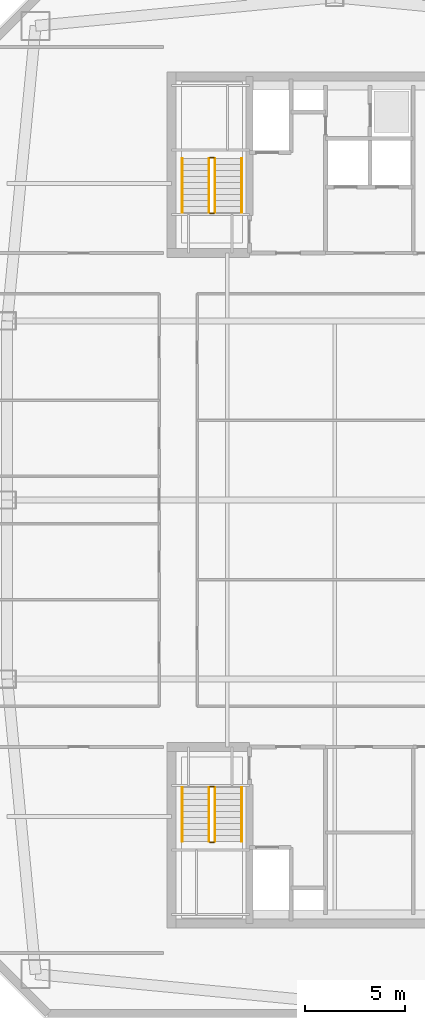
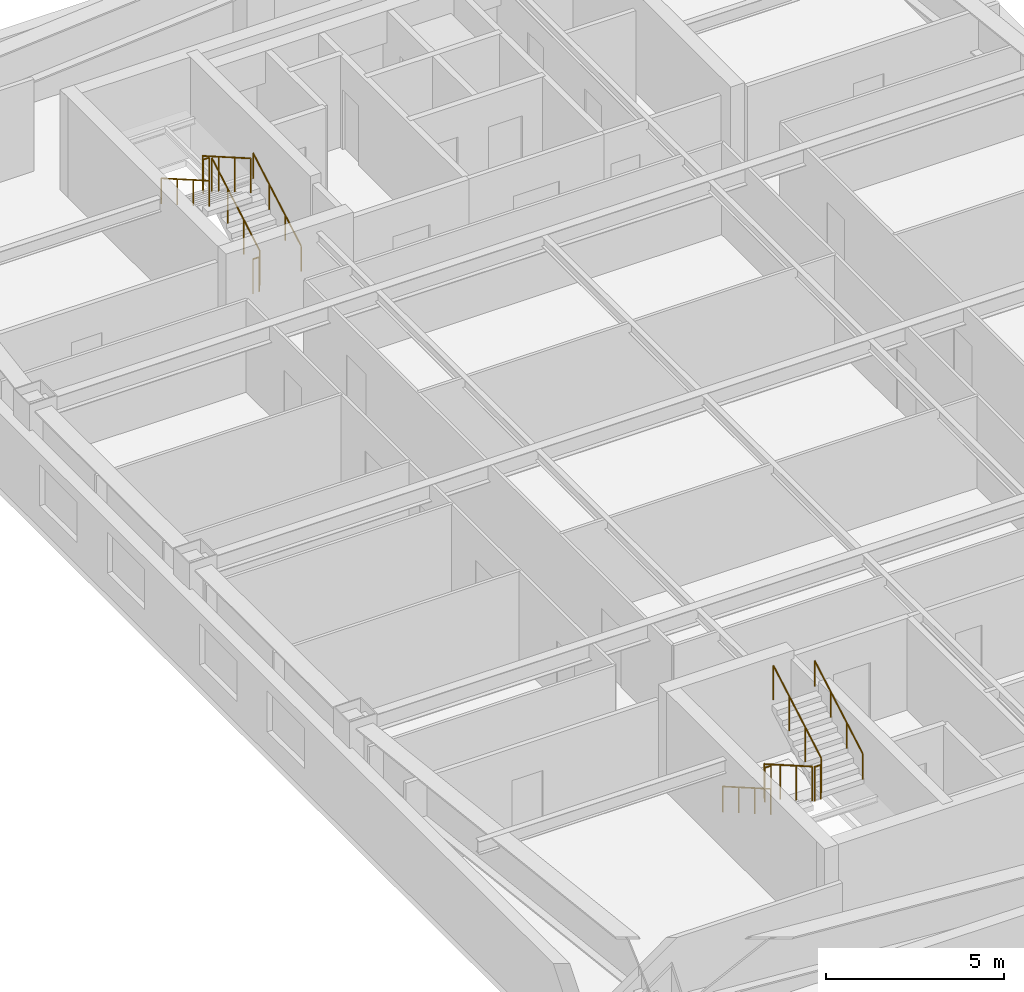
# One storey, part 13 of 15: 12 railings.
"""IFC4 building model written with IfcOpenShell, lengths in metres."""

from ifc_helpers import new_model, si_unit, direction, frame, origin, origin_2d, place, context, subcontext, project, spatial, circle, extrude, material, type_object, element, save


model = new_model("IFC4")

# Units and contexts
model_context = context("Model", 3, precision=1e-05, world=origin(), true_north=direction((0.0, 1.0)))
body_context = subcontext(model_context, "Body", "Model", "MODEL_VIEW")
ifc_project = project(units=[si_unit("LENGTHUNIT", "METRE"), si_unit("AREAUNIT", "SQUARE_METRE"), si_unit("VOLUMEUNIT", "CUBIC_METRE"), si_unit("PLANEANGLEUNIT", "RADIAN"), si_unit("MASSUNIT", "GRAM", prefix="KILO")], contexts=[model_context])

# Site, building, storey
site_placement = place(None, origin())
site = spatial("IfcSite", under=ifc_project, at=site_placement, CompositionType="ELEMENT")
building_placement = place(site_placement, origin())
building = spatial("IfcBuilding", under=site, at=building_placement, Name="Qiaolan Cultural Towers", CompositionType="ELEMENT")
storey_placement = place(building_placement, frame((0.0, 0.0, 212.75)))
storey = spatial("IfcBuildingStorey", under=building, at=storey_placement, Name="L57", CompositionType="ELEMENT", Elevation=212.75)

# Railings
ifc_material_1 = material(Name="Galvanized Painted Steel Stair Guardrail", Category="steel")
railing_type_1 = type_object("IfcRailingType", Name="RL-STAIR-GRD", PredefinedType="GUARDRAIL", material=ifc_material_1)
railing_1_placement = place(storey_placement, frame((23.68994140625, 19.550048828125, 0.172607421875)))
element("IfcRailing", 1, at=railing_1_placement, inside=storey, type_object=railing_type_1, Name="L57 ST-W1 stair guard 1", PredefinedType="GUARDRAIL", context=body_context, shape_type="SweptSolid", body=[
    extrude(circle(Radius=0.02392578125, at=origin_2d()), frame((0.0, 0.0, 1.17578125), z_axis=(0.0, -0.866903762492, 0.498475542607), x_axis=(1.0, 0.0, 0.0)), (0.0, 0.0, 1.0), 3.114501953125),
    extrude(circle(Radius=0.02099609375, at=origin_2d()), origin(), (0.0, 0.0, 1.0), 1.15185546875),
    extrude(circle(Radius=0.02099609375, at=origin_2d()), frame((0.0, -0.89990234375, 0.517578125)), (0.0, 0.0, 1.0), 1.15185546875),
    extrude(circle(Radius=0.02099609375, at=origin_2d()), frame((0.0, -1.800048828125, 1.034912109375)), (0.0, 0.0, 1.0), 1.15185546875),
    extrude(circle(Radius=0.02099609375, at=origin_2d()), frame((0.0, -2.699951171875, 1.552490234375)), (0.0, 0.0, 1.0), 1.15185546875),
])
railing_2_placement = place(storey_placement, frame((23.739990234375, 16.800048828125, 1.72509765625)))
element("IfcRailing", 2, at=railing_2_placement, inside=storey, type_object=railing_type_1, Name="L57 ST-W1 stair guard 2", PredefinedType="GUARDRAIL", context=body_context, shape_type="SweptSolid", body=[
    extrude(circle(Radius=0.02392578125, at=origin_2d()), frame((0.0, 0.0, 1.17578125), z_axis=(1.0, 0.0, 0.0), x_axis=(0.0, 1.0, 0.0)), (0.0, 0.0, 1.0), 0.199951171875),
    extrude(circle(Radius=0.02099609375, at=origin_2d()), origin(), (0.0, 0.0, 1.0), 1.15185546875),
    extrude(circle(Radius=0.02099609375, at=origin_2d()), frame((0.199951171875, 0.0, 0.0)), (0.0, 0.0, 1.0), 1.15185546875),
])
railing_3_placement = place(storey_placement, frame((23.989990234375, 16.85009765625, 1.8974609375)))
element("IfcRailing", 3, at=railing_3_placement, inside=storey, type_object=railing_type_1, Name="L57 ST-W1 stair guard 3", PredefinedType="GUARDRAIL", context=body_context, shape_type="SweptSolid", body=[
    extrude(circle(Radius=0.02392578125, at=origin_2d()), frame((0.0, 0.0, 1.17578125), z_axis=(0.0, 0.866903762492, 0.498475542607), x_axis=(-1.0, 0.0, 0.0)), (0.0, 0.0, 1.0), 3.114501953125),
    extrude(circle(Radius=0.02099609375, at=origin_2d()), origin(), (0.0, 0.0, 1.0), 1.15185546875),
    extrude(circle(Radius=0.02099609375, at=origin_2d()), frame((0.0, 0.89990234375, 0.517578125)), (0.0, 0.0, 1.0), 1.15185546875),
    extrude(circle(Radius=0.02099609375, at=origin_2d()), frame((0.0, 1.800048828125, 1.034912109375)), (0.0, 0.0, 1.0), 1.15185546875),
    extrude(circle(Radius=0.02099609375, at=origin_2d()), frame((0.0, 2.699951171875, 1.552490234375)), (0.0, 0.0, 1.0), 1.15185546875),
])
railing_4_placement = place(storey_placement, frame((23.739990234375, 19.60009765625, 0.0)))
element("IfcRailing", 4, at=railing_4_placement, inside=storey, type_object=railing_type_1, Name="L57 ST-W1 stair guard 4", PredefinedType="GUARDRAIL", context=body_context, shape_type="SweptSolid", body=[
    extrude(circle(Radius=0.02392578125, at=origin_2d()), frame((0.0, 0.0, 1.17578125), z_axis=(1.0, 0.0, 0.0), x_axis=(0.0, 1.0, 0.0)), (0.0, 0.0, 1.0), 0.199951171875),
    extrude(circle(Radius=0.02099609375, at=origin_2d()), origin(), (0.0, 0.0, 1.0), 1.15185546875),
    extrude(circle(Radius=0.02099609375, at=origin_2d()), frame((0.199951171875, 0.0, 0.0)), (0.0, 0.0, 1.0), 1.15185546875),
])
railing_5_placement = place(storey_placement, frame((23.989990234375, 48.449951171875, 0.172607421875)))
element("IfcRailing", 5, at=railing_5_placement, inside=storey, type_object=railing_type_1, Name="L57 ST-W2 stair guard 1", PredefinedType="GUARDRAIL", context=body_context, shape_type="SweptSolid", body=[
    extrude(circle(Radius=0.02392578125, at=origin_2d()), frame((0.0, 0.0, 1.17578125), z_axis=(0.0, 0.866903762492, 0.498475542607), x_axis=(-1.0, 0.0, 0.0)), (0.0, 0.0, 1.0), 3.114501953125),
    extrude(circle(Radius=0.02099609375, at=origin_2d()), origin(), (0.0, 0.0, 1.0), 1.15185546875),
    extrude(circle(Radius=0.02099609375, at=origin_2d()), frame((0.0, 0.89990234375, 0.517578125)), (0.0, 0.0, 1.0), 1.15185546875),
    extrude(circle(Radius=0.02099609375, at=origin_2d()), frame((0.0, 1.800048828125, 1.034912109375)), (0.0, 0.0, 1.0), 1.15185546875),
    extrude(circle(Radius=0.02099609375, at=origin_2d()), frame((0.0, 2.699951171875, 1.552490234375)), (0.0, 0.0, 1.0), 1.15185546875),
])
railing_6_placement = place(storey_placement, frame((23.93994140625, 51.199951171875, 1.72509765625)))
element("IfcRailing", 6, at=railing_6_placement, inside=storey, type_object=railing_type_1, Name="L57 ST-W2 stair guard 2", PredefinedType="GUARDRAIL", context=body_context, shape_type="SweptSolid", body=[
    extrude(circle(Radius=0.02392578125, at=origin_2d()), frame((0.0, 0.0, 1.17578125), z_axis=(-1.0, 0.0, 0.0), x_axis=(0.0, -1.0, 0.0)), (0.0, 0.0, 1.0), 0.199951171875),
    extrude(circle(Radius=0.02099609375, at=origin_2d()), origin(), (0.0, 0.0, 1.0), 1.15185546875),
    extrude(circle(Radius=0.02099609375, at=origin_2d()), frame((-0.199951171875, 0.0, 0.0)), (0.0, 0.0, 1.0), 1.15185546875),
])
railing_7_placement = place(storey_placement, frame((23.68994140625, 51.14990234375, 1.8974609375)))
element("IfcRailing", 7, at=railing_7_placement, inside=storey, type_object=railing_type_1, Name="L57 ST-W2 stair guard 3", PredefinedType="GUARDRAIL", context=body_context, shape_type="SweptSolid", body=[
    extrude(circle(Radius=0.02392578125, at=origin_2d()), frame((0.0, 0.0, 1.17578125), z_axis=(0.0, -0.866903762492, 0.498475542607), x_axis=(1.0, 0.0, 0.0)), (0.0, 0.0, 1.0), 3.114501953125),
    extrude(circle(Radius=0.02099609375, at=origin_2d()), origin(), (0.0, 0.0, 1.0), 1.15185546875),
    extrude(circle(Radius=0.02099609375, at=origin_2d()), frame((0.0, -0.89990234375, 0.517578125)), (0.0, 0.0, 1.0), 1.15185546875),
    extrude(circle(Radius=0.02099609375, at=origin_2d()), frame((0.0, -1.800048828125, 1.034912109375)), (0.0, 0.0, 1.0), 1.15185546875),
    extrude(circle(Radius=0.02099609375, at=origin_2d()), frame((0.0, -2.699951171875, 1.552490234375)), (0.0, 0.0, 1.0), 1.15185546875),
])
railing_8_placement = place(storey_placement, frame((23.93994140625, 48.39990234375, 0.0)))
element("IfcRailing", 8, at=railing_8_placement, inside=storey, type_object=railing_type_1, Name="L57 ST-W2 stair guard 4", PredefinedType="GUARDRAIL", context=body_context, shape_type="SweptSolid", body=[
    extrude(circle(Radius=0.02392578125, at=origin_2d()), frame((0.0, 0.0, 1.17578125), z_axis=(-1.0, 0.0, 0.0), x_axis=(0.0, -1.0, 0.0)), (0.0, 0.0, 1.0), 0.199951171875),
    extrude(circle(Radius=0.02099609375, at=origin_2d()), origin(), (0.0, 0.0, 1.0), 1.15185546875),
    extrude(circle(Radius=0.02099609375, at=origin_2d()), frame((-0.199951171875, 0.0, 0.0)), (0.0, 0.0, 1.0), 1.15185546875),
])
ifc_material_2 = material(Name="Stainless Steel S30408 Tubular Handrail", Category="steel")
railing_type_2 = type_object("IfcRailingType", Name="RL-STAIR-HR", PredefinedType="HANDRAIL", material=ifc_material_2)
railing_9_placement = place(storey_placement, frame((22.35009765625, 19.550048828125, 0.172607421875)))
element("IfcRailing", 9, at=railing_9_placement, inside=storey, type_object=railing_type_2, Name="L57 ST-W1 stair handrail 1", PredefinedType="HANDRAIL", context=body_context, shape_type="SweptSolid", body=[
    extrude(circle(Radius=0.02392578125, at=origin_2d()), frame((0.0, 0.0, 0.8759765625), z_axis=(0.0, -0.866903762492, 0.498475542607), x_axis=(1.0, 0.0, 0.0)), (0.0, 0.0, 1.0), 3.114501953125),
    extrude(circle(Radius=0.02099609375, at=origin_2d()), origin(), (0.0, 0.0, 1.0), 0.851806640625),
    extrude(circle(Radius=0.02099609375, at=origin_2d()), frame((0.0, -0.89990234375, 0.517578125)), (0.0, 0.0, 1.0), 0.851806640625),
    extrude(circle(Radius=0.02099609375, at=origin_2d()), frame((0.0, -1.800048828125, 1.034912109375)), (0.0, 0.0, 1.0), 0.851806640625),
    extrude(circle(Radius=0.02099609375, at=origin_2d()), frame((0.0, -2.699951171875, 1.552490234375)), (0.0, 0.0, 1.0), 0.851806640625),
])
for number, where, name in (
    (10, (25.330078125, 16.85009765625, 1.8974609375), "L57 ST-W1 stair handrail 2"),
    (11, (25.330078125, 48.449951171875, 0.172607421875), "L57 ST-W2 stair handrail 1"),
):
    element("IfcRailing", number, at=place(storey_placement, frame(where)), inside=storey, type_object=railing_type_2, Name=name, PredefinedType="HANDRAIL", context=body_context, shape_type="SweptSolid", body=[
        extrude(circle(Radius=0.02392578125, at=origin_2d()), frame((0.0, 0.0, 0.8759765625), z_axis=(0.0, 0.866903762492, 0.498475542607), x_axis=(-1.0, 0.0, 0.0)), (0.0, 0.0, 1.0), 3.114501953125),
        extrude(circle(Radius=0.02099609375, at=origin_2d()), origin(), (0.0, 0.0, 1.0), 0.851806640625),
        extrude(circle(Radius=0.02099609375, at=origin_2d()), frame((0.0, 0.89990234375, 0.517578125)), (0.0, 0.0, 1.0), 0.851806640625),
        extrude(circle(Radius=0.02099609375, at=origin_2d()), frame((0.0, 1.800048828125, 1.034912109375)), (0.0, 0.0, 1.0), 0.851806640625),
        extrude(circle(Radius=0.02099609375, at=origin_2d()), frame((0.0, 2.699951171875, 1.552490234375)), (0.0, 0.0, 1.0), 0.851806640625),
    ])
railing_10_placement = place(storey_placement, frame((22.35009765625, 51.14990234375, 1.8974609375)))
element("IfcRailing", 12, at=railing_10_placement, inside=storey, type_object=railing_type_2, Name="L57 ST-W2 stair handrail 2", PredefinedType="HANDRAIL", context=body_context, shape_type="SweptSolid", body=[
    extrude(circle(Radius=0.02392578125, at=origin_2d()), frame((0.0, 0.0, 0.8759765625), z_axis=(0.0, -0.866903762492, 0.498475542607), x_axis=(1.0, 0.0, 0.0)), (0.0, 0.0, 1.0), 3.114501953125),
    extrude(circle(Radius=0.02099609375, at=origin_2d()), origin(), (0.0, 0.0, 1.0), 0.851806640625),
    extrude(circle(Radius=0.02099609375, at=origin_2d()), frame((0.0, -0.89990234375, 0.517578125)), (0.0, 0.0, 1.0), 0.851806640625),
    extrude(circle(Radius=0.02099609375, at=origin_2d()), frame((0.0, -1.800048828125, 1.034912109375)), (0.0, 0.0, 1.0), 0.851806640625),
    extrude(circle(Radius=0.02099609375, at=origin_2d()), frame((0.0, -2.699951171875, 1.552490234375)), (0.0, 0.0, 1.0), 0.851806640625),
])

save(model, "model.ifc")
